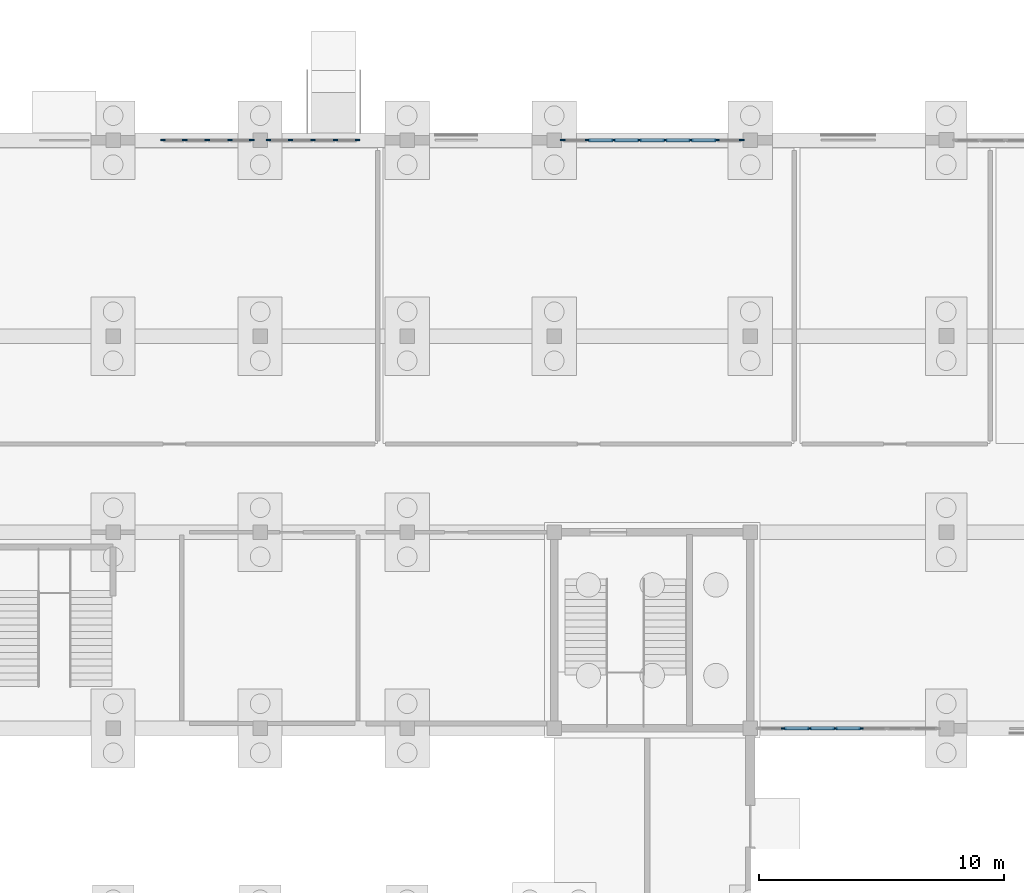
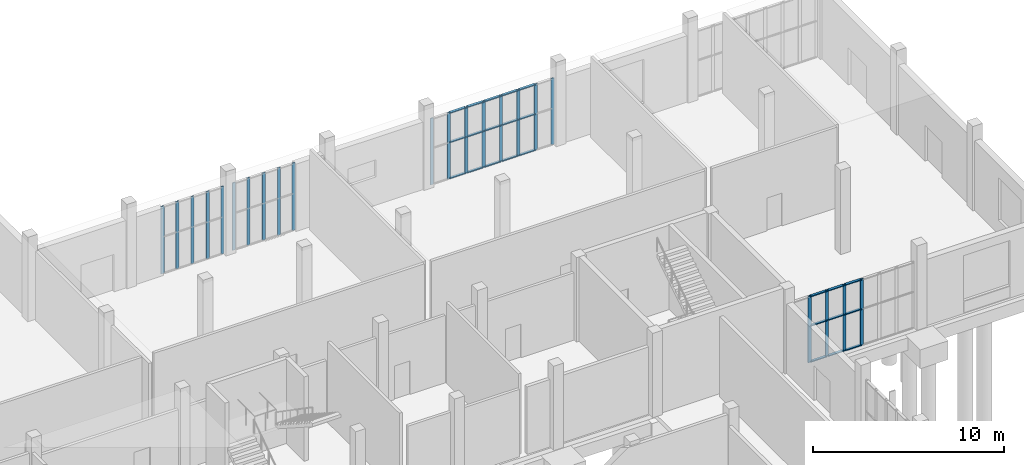
# One storey, part 17 of 69: 46 members, 4 elements without a shape of their own.
"""IFC4 building model written with IfcOpenShell, lengths in metres."""

from ifc_helpers import new_model, si_unit, direction, frame, origin, origin_2d, place, context, subcontext, project, spatial, rectangle, extrude, material, layer, layer_set, material_profile, profile_set, type_object, element, aggregate, save


model = new_model("IFC4")

# Units and contexts
model_context = context("Model", 3, precision=1e-05, world=origin(), true_north=direction((0.0, 1.0)))
body_context = subcontext(model_context, "Body", "Model", "MODEL_VIEW")
ifc_project = project(units=[si_unit("LENGTHUNIT", "METRE"), si_unit("AREAUNIT", "SQUARE_METRE"), si_unit("VOLUMEUNIT", "CUBIC_METRE"), si_unit("PLANEANGLEUNIT", "RADIAN"), si_unit("MASSUNIT", "GRAM", prefix="KILO")], contexts=[model_context])

# Site, building, storey
site_placement = place(None, origin())
site = spatial("IfcSite", under=ifc_project, at=site_placement, CompositionType="ELEMENT")
building_placement = place(site_placement, origin())
building = spatial("IfcBuilding", under=site, at=building_placement, Name="Solvane Community Centre", CompositionType="ELEMENT")
storey_placement = place(building_placement, origin())
storey = spatial("IfcBuildingStorey", under=building, at=storey_placement, Name="L00", CompositionType="ELEMENT", Elevation=0.0)

# Curtain wall, members
ifc_material = material(Name="Anodised bronze aluminium AW-6063 T6", Category="aluminium")
ifc_layer_1 = layer(ifc_material, 0.18994140625)
ifc_layer_set_1 = layer_set([ifc_layer_1], Name="Anodised bronze aluminium AW-6063 T6")
curtain_wall_type_1 = type_object("IfcCurtainWallType", Name="Boulevard Bronze Vision Curtain Wall [37x43dm]", PredefinedType="NOTDEFINED", material=ifc_layer_set_1)
curtain_wall_1_placement = place(storey_placement, origin())
curtain_wall_1 = element("IfcCurtainWall", 1, at=curtain_wall_1_placement, inside=storey, type_object=curtain_wall_type_1, Name="Curtain Wall CW-L00-440_1100-010", PredefinedType="NOTDEFINED")
ifc_material_profile_1 = material_profile(ifc_material, rectangle(XDim=0.06005859375, YDim=0.18994140625, at=origin_2d()), Name="CW-M 60x190")
ifc_profile_set_1 = profile_set([ifc_material_profile_1], Name="Anodised bronze aluminium AW-6063 T6")
member_type_1 = type_object("IfcMemberType", Name="Boulevard Mullion 60x190", PredefinedType="MULLION", material=ifc_profile_set_1)
member_1_placement = place(storey_placement, frame((44.030029296875, 110.0, 0.0), z_axis=(0.0, 0.0, 1.0), x_axis=(0.0, 1.0, 0.0)))
member_1 = element("IfcMember", 2, at=member_1_placement, type_object=member_type_1, Name="CW02-37x43 mullion 1", PredefinedType="MULLION", context=body_context, shape_type="SweptSolid", body=[
    extrude(rectangle(XDim=0.06005859375, YDim=0.18994140625, at=origin_2d()), origin(), (0.0, 0.0, 1.0), 4.31494140625),
])
member_2_placement = place(storey_placement, frame((44.921142578125, 110.0, 0.0), z_axis=(0.0, 0.0, 1.0), x_axis=(0.0, 1.0, 0.0)))
member_2 = element("IfcMember", 3, at=member_2_placement, type_object=member_type_1, Name="CW02-37x43 mullion 2", PredefinedType="MULLION", context=body_context, shape_type="SweptSolid", body=[
    extrude(rectangle(XDim=0.06005859375, YDim=0.18994140625, at=origin_2d()), origin(), (0.0, 0.0, 1.0), 4.31494140625),
])
member_3_placement = place(storey_placement, frame((45.842529296875, 110.0, 0.0), z_axis=(0.0, 0.0, 1.0), x_axis=(0.0, 1.0, 0.0)))
member_3 = element("IfcMember", 4, at=member_3_placement, type_object=member_type_1, Name="CW02-37x43 mullion 3", PredefinedType="MULLION", context=body_context, shape_type="SweptSolid", body=[
    extrude(rectangle(XDim=0.06005859375, YDim=0.18994140625, at=origin_2d()), origin(), (0.0, 0.0, 1.0), 4.31494140625),
])
member_4_placement = place(storey_placement, frame((46.763671875, 110.0, 0.0), z_axis=(0.0, 0.0, 1.0), x_axis=(0.0, 1.0, 0.0)))
member_4 = element("IfcMember", 5, at=member_4_placement, type_object=member_type_1, Name="CW02-37x43 mullion 4", PredefinedType="MULLION", context=body_context, shape_type="SweptSolid", body=[
    extrude(rectangle(XDim=0.06005859375, YDim=0.18994140625, at=origin_2d()), origin(), (0.0, 0.0, 1.0), 4.31494140625),
])
member_5_placement = place(storey_placement, frame((47.655029296875, 110.0, 0.0), z_axis=(0.0, 0.0, 1.0), x_axis=(0.0, 1.0, 0.0)))
member_5 = element("IfcMember", 6, at=member_5_placement, type_object=member_type_1, Name="CW02-37x43 mullion 5", PredefinedType="MULLION", context=body_context, shape_type="SweptSolid", body=[
    extrude(rectangle(XDim=0.06005859375, YDim=0.18994140625, at=origin_2d()), origin(), (0.0, 0.0, 1.0), 4.31494140625),
])
aggregate(curtain_wall_1, [member_1, member_2, member_3, member_4, member_5])

curtain_wall_2_placement = place(storey_placement, origin())
curtain_wall_2 = element("IfcCurtainWall", 7, at=curtain_wall_2_placement, inside=storey, type_object=curtain_wall_type_1, Name="Curtain Wall CW-L00-483_1100-011", PredefinedType="NOTDEFINED")
member_6_placement = place(storey_placement, frame((48.344970703125, 110.0, 0.0), z_axis=(0.0, 0.0, 1.0), x_axis=(0.0, 1.0, 0.0)))
member_6 = element("IfcMember", 8, at=member_6_placement, type_object=member_type_1, Name="CW02-37x43 mullion 1", PredefinedType="MULLION", context=body_context, shape_type="SweptSolid", body=[
    extrude(rectangle(XDim=0.06005859375, YDim=0.18994140625, at=origin_2d()), origin(), (0.0, 0.0, 1.0), 4.31494140625),
])
member_7_placement = place(storey_placement, frame((49.236328125, 110.0, 0.0), z_axis=(0.0, 0.0, 1.0), x_axis=(0.0, 1.0, 0.0)))
member_7 = element("IfcMember", 9, at=member_7_placement, type_object=member_type_1, Name="CW02-37x43 mullion 2", PredefinedType="MULLION", context=body_context, shape_type="SweptSolid", body=[
    extrude(rectangle(XDim=0.06005859375, YDim=0.18994140625, at=origin_2d()), origin(), (0.0, 0.0, 1.0), 4.31494140625),
])
member_8_placement = place(storey_placement, frame((50.157470703125, 110.0, 0.0), z_axis=(0.0, 0.0, 1.0), x_axis=(0.0, 1.0, 0.0)))
member_8 = element("IfcMember", 10, at=member_8_placement, type_object=member_type_1, Name="CW02-37x43 mullion 3", PredefinedType="MULLION", context=body_context, shape_type="SweptSolid", body=[
    extrude(rectangle(XDim=0.06005859375, YDim=0.18994140625, at=origin_2d()), origin(), (0.0, 0.0, 1.0), 4.31494140625),
])
member_9_placement = place(storey_placement, frame((51.078857421875, 110.0, 0.0), z_axis=(0.0, 0.0, 1.0), x_axis=(0.0, 1.0, 0.0)))
member_9 = element("IfcMember", 11, at=member_9_placement, type_object=member_type_1, Name="CW02-37x43 mullion 4", PredefinedType="MULLION", context=body_context, shape_type="SweptSolid", body=[
    extrude(rectangle(XDim=0.06005859375, YDim=0.18994140625, at=origin_2d()), origin(), (0.0, 0.0, 1.0), 4.31494140625),
])
member_10_placement = place(storey_placement, frame((51.969970703125, 110.0, 0.0), z_axis=(0.0, 0.0, 1.0), x_axis=(0.0, 1.0, 0.0)))
member_10 = element("IfcMember", 12, at=member_10_placement, type_object=member_type_1, Name="CW02-37x43 mullion 5", PredefinedType="MULLION", context=body_context, shape_type="SweptSolid", body=[
    extrude(rectangle(XDim=0.06005859375, YDim=0.18994140625, at=origin_2d()), origin(), (0.0, 0.0, 1.0), 4.31494140625),
])
aggregate(curtain_wall_2, [member_6, member_7, member_8, member_9, member_10])

ifc_layer_2 = layer(ifc_material, 0.18994140625)
ifc_layer_set_2 = layer_set([ifc_layer_2], Name="Anodised bronze aluminium AW-6063 T6")
curtain_wall_type_2 = type_object("IfcCurtainWallType", Name="Boulevard Bronze Vision Curtain Wall [74x42dm]", PredefinedType="NOTDEFINED", material=ifc_layer_set_2)
curtain_wall_3_placement = place(storey_placement, origin())
curtain_wall_3 = element("IfcCurtainWall", 13, at=curtain_wall_3_placement, inside=storey, type_object=curtain_wall_type_2, Name="Curtain Wall CW-L00-603_1100-012", PredefinedType="NOTDEFINED")
member_11_placement = place(storey_placement, frame((60.344970703125, 110.0, 0.0), z_axis=(0.0, 0.0, 1.0), x_axis=(0.0, 1.0, 0.0)))
member_11 = element("IfcMember", 14, at=member_11_placement, type_object=member_type_1, Name="CW02-74x42 mullion 1", PredefinedType="MULLION", context=body_context, shape_type="SweptSolid", body=[
    extrude(rectangle(XDim=0.06005859375, YDim=0.18994140625, at=origin_2d()), origin(), (0.0, 0.0, 1.0), 4.2451171875),
])
member_12_placement = place(storey_placement, frame((61.367919921875, 110.0, 0.0), z_axis=(0.0, 0.0, 1.0), x_axis=(0.0, 1.0, 0.0)))
member_12 = element("IfcMember", 15, at=member_12_placement, type_object=member_type_1, Name="CW02-74x42 mullion 2", PredefinedType="MULLION", context=body_context, shape_type="SweptSolid", body=[
    extrude(rectangle(XDim=0.06005859375, YDim=0.18994140625, at=origin_2d()), origin(), (0.0, 0.0, 1.0), 4.2451171875),
])
member_13_placement = place(storey_placement, frame((62.420654296875, 110.0, 0.0), z_axis=(0.0, 0.0, 1.0), x_axis=(0.0, 1.0, 0.0)))
member_13 = element("IfcMember", 16, at=member_13_placement, type_object=member_type_1, Name="CW02-74x42 mullion 3", PredefinedType="MULLION", context=body_context, shape_type="SweptSolid", body=[
    extrude(rectangle(XDim=0.06005859375, YDim=0.18994140625, at=origin_2d()), origin(), (0.0, 0.0, 1.0), 4.2451171875),
])
member_14_placement = place(storey_placement, frame((63.4736328125, 110.0, 0.0), z_axis=(0.0, 0.0, 1.0), x_axis=(0.0, 1.0, 0.0)))
member_14 = element("IfcMember", 17, at=member_14_placement, type_object=member_type_1, Name="CW02-74x42 mullion 4", PredefinedType="MULLION", context=body_context, shape_type="SweptSolid", body=[
    extrude(rectangle(XDim=0.06005859375, YDim=0.18994140625, at=origin_2d()), origin(), (0.0, 0.0, 1.0), 4.2451171875),
])
member_15_placement = place(storey_placement, frame((64.5263671875, 110.0, 0.0), z_axis=(0.0, 0.0, 1.0), x_axis=(0.0, 1.0, 0.0)))
member_15 = element("IfcMember", 18, at=member_15_placement, type_object=member_type_1, Name="CW02-74x42 mullion 5", PredefinedType="MULLION", context=body_context, shape_type="SweptSolid", body=[
    extrude(rectangle(XDim=0.06005859375, YDim=0.18994140625, at=origin_2d()), origin(), (0.0, 0.0, 1.0), 4.2451171875),
])
member_16_placement = place(storey_placement, frame((65.579345703125, 110.0, 0.0), z_axis=(0.0, 0.0, 1.0), x_axis=(0.0, 1.0, 0.0)))
member_16 = element("IfcMember", 19, at=member_16_placement, type_object=member_type_1, Name="CW02-74x42 mullion 6", PredefinedType="MULLION", context=body_context, shape_type="SweptSolid", body=[
    extrude(rectangle(XDim=0.06005859375, YDim=0.18994140625, at=origin_2d()), origin(), (0.0, 0.0, 1.0), 4.2451171875),
])
member_17_placement = place(storey_placement, frame((66.632080078125, 110.0, 0.0), z_axis=(0.0, 0.0, 1.0), x_axis=(0.0, 1.0, 0.0)))
member_17 = element("IfcMember", 20, at=member_17_placement, type_object=member_type_1, Name="CW02-74x42 mullion 7", PredefinedType="MULLION", context=body_context, shape_type="SweptSolid", body=[
    extrude(rectangle(XDim=0.06005859375, YDim=0.18994140625, at=origin_2d()), origin(), (0.0, 0.0, 1.0), 4.2451171875),
])
member_18_placement = place(storey_placement, frame((67.655029296875, 110.0, 0.0), z_axis=(0.0, 0.0, 1.0), x_axis=(0.0, 1.0, 0.0)))
member_18 = element("IfcMember", 21, at=member_18_placement, type_object=member_type_1, Name="CW02-74x42 mullion 8", PredefinedType="MULLION", context=body_context, shape_type="SweptSolid", body=[
    extrude(rectangle(XDim=0.06005859375, YDim=0.18994140625, at=origin_2d()), origin(), (0.0, 0.0, 1.0), 4.2451171875),
])

curtain_wall_4_placement = place(storey_placement, origin())
curtain_wall_4 = element("IfcCurtainWall", 22, at=curtain_wall_4_placement, inside=storey, type_object=curtain_wall_type_2, Name="Curtain Wall CW-L00-757_860-014", PredefinedType="NOTDEFINED")
member_19_placement = place(storey_placement, frame((72.523681640625, 86.0, 0.0), z_axis=(0.0, 0.0, 1.0), x_axis=(0.0, -1.0, 0.0)))
member_19 = element("IfcMember", 23, at=member_19_placement, type_object=member_type_1, Name="CW02-74x42 mullion 4", PredefinedType="MULLION", context=body_context, shape_type="SweptSolid", body=[
    extrude(rectangle(XDim=0.06005859375, YDim=0.18994140625, at=origin_2d()), origin(), (0.0, 0.0, 1.0), 4.2451171875),
])
member_20_placement = place(storey_placement, frame((71.471435546875, 86.0, 0.0), z_axis=(0.0, 0.0, 1.0), x_axis=(0.0, -1.0, 0.0)))
member_20 = element("IfcMember", 24, at=member_20_placement, type_object=member_type_1, Name="CW02-74x42 mullion 5", PredefinedType="MULLION", context=body_context, shape_type="SweptSolid", body=[
    extrude(rectangle(XDim=0.06005859375, YDim=0.18994140625, at=origin_2d()), origin(), (0.0, 0.0, 1.0), 4.2451171875),
])
member_21_placement = place(storey_placement, frame((70.419189453125, 86.0, 0.0), z_axis=(0.0, 0.0, 1.0), x_axis=(0.0, -1.0, 0.0)))
member_21 = element("IfcMember", 25, at=member_21_placement, type_object=member_type_1, Name="CW02-74x42 mullion 6", PredefinedType="MULLION", context=body_context, shape_type="SweptSolid", body=[
    extrude(rectangle(XDim=0.06005859375, YDim=0.18994140625, at=origin_2d()), origin(), (0.0, 0.0, 1.0), 4.2451171875),
])
member_22_placement = place(storey_placement, frame((69.3671875, 86.0, 0.0), z_axis=(0.0, 0.0, 1.0), x_axis=(0.0, -1.0, 0.0)))
member_22 = element("IfcMember", 26, at=member_22_placement, type_object=member_type_1, Name="CW02-74x42 mullion 7", PredefinedType="MULLION", context=body_context, shape_type="SweptSolid", body=[
    extrude(rectangle(XDim=0.06005859375, YDim=0.18994140625, at=origin_2d()), origin(), (0.0, 0.0, 1.0), 4.2451171875),
])

# Member
ifc_material_profile_2 = material_profile(ifc_material, rectangle(XDim=0.14990234375, YDim=0.06005859375, at=origin_2d()), Name="CW-T 60x150")
ifc_profile_set_2 = profile_set([ifc_material_profile_2], Name="Anodised bronze aluminium AW-6063 T6")
member_type_2 = type_object("IfcMemberType", Name="Boulevard Transom 60x150", PredefinedType="USERDEFINED", material=ifc_profile_set_2)
member_23_placement = place(storey_placement, frame((61.39794921875, 110.0, 0.030029296875), z_axis=(1.0, 0.0, 0.0), x_axis=(0.0, 1.0, 0.0)))
member_23 = element("IfcMember", 27, at=member_23_placement, type_object=member_type_2, Name="CW02-74x42 transom 2.1", ObjectType="TRANSOM", PredefinedType="USERDEFINED", context=body_context, shape_type="SweptSolid", body=[
    extrude(rectangle(XDim=0.14990234375, YDim=0.06005859375, at=origin_2d()), origin(), (0.0, 0.0, 1.0), 0.99267578125),
])

member_24_placement = place(storey_placement, frame((61.39794921875, 110.0, 2.3349609375), z_axis=(1.0, 0.0, 0.0), x_axis=(0.0, 1.0, 0.0)))
member_24 = element("IfcMember", 28, at=member_24_placement, type_object=member_type_2, Name="CW02-74x42 transom 2.2", ObjectType="TRANSOM", PredefinedType="USERDEFINED", context=body_context, shape_type="SweptSolid", body=[
    extrude(rectangle(XDim=0.14990234375, YDim=0.06005859375, at=origin_2d()), origin(), (0.0, 0.0, 1.0), 0.99267578125),
])

member_25_placement = place(storey_placement, frame((61.39794921875, 110.0, 4.215087890625), z_axis=(1.0, 0.0, 0.0), x_axis=(0.0, 1.0, 0.0)))
member_25 = element("IfcMember", 29, at=member_25_placement, type_object=member_type_2, Name="CW02-74x42 transom 2.3", ObjectType="TRANSOM", PredefinedType="USERDEFINED", context=body_context, shape_type="SweptSolid", body=[
    extrude(rectangle(XDim=0.14990234375, YDim=0.06005859375, at=origin_2d()), origin(), (0.0, 0.0, 1.0), 0.99267578125),
])

member_26_placement = place(storey_placement, frame((62.45068359375, 110.0, 0.030029296875), z_axis=(1.0, 0.0, 0.0), x_axis=(0.0, 1.0, 0.0)))
member_26 = element("IfcMember", 30, at=member_26_placement, type_object=member_type_2, Name="CW02-74x42 transom 3.1", ObjectType="TRANSOM", PredefinedType="USERDEFINED", context=body_context, shape_type="SweptSolid", body=[
    extrude(rectangle(XDim=0.14990234375, YDim=0.06005859375, at=origin_2d()), origin(), (0.0, 0.0, 1.0), 0.992919921875),
])

member_27_placement = place(storey_placement, frame((62.45068359375, 110.0, 2.3349609375), z_axis=(1.0, 0.0, 0.0), x_axis=(0.0, 1.0, 0.0)))
member_27 = element("IfcMember", 31, at=member_27_placement, type_object=member_type_2, Name="CW02-74x42 transom 3.2", ObjectType="TRANSOM", PredefinedType="USERDEFINED", context=body_context, shape_type="SweptSolid", body=[
    extrude(rectangle(XDim=0.14990234375, YDim=0.06005859375, at=origin_2d()), origin(), (0.0, 0.0, 1.0), 0.992919921875),
])

member_28_placement = place(storey_placement, frame((62.45068359375, 110.0, 4.215087890625), z_axis=(1.0, 0.0, 0.0), x_axis=(0.0, 1.0, 0.0)))
member_28 = element("IfcMember", 32, at=member_28_placement, type_object=member_type_2, Name="CW02-74x42 transom 3.3", ObjectType="TRANSOM", PredefinedType="USERDEFINED", context=body_context, shape_type="SweptSolid", body=[
    extrude(rectangle(XDim=0.14990234375, YDim=0.06005859375, at=origin_2d()), origin(), (0.0, 0.0, 1.0), 0.992919921875),
])

member_29_placement = place(storey_placement, frame((63.503662109375, 110.0, 0.030029296875), z_axis=(1.0, 0.0, 0.0), x_axis=(0.0, 1.0, 0.0)))
member_29 = element("IfcMember", 33, at=member_29_placement, type_object=member_type_2, Name="CW02-74x42 transom 4.1", ObjectType="TRANSOM", PredefinedType="USERDEFINED", context=body_context, shape_type="SweptSolid", body=[
    extrude(rectangle(XDim=0.14990234375, YDim=0.06005859375, at=origin_2d()), origin(), (0.0, 0.0, 1.0), 0.99267578125),
])

member_30_placement = place(storey_placement, frame((63.503662109375, 110.0, 2.3349609375), z_axis=(1.0, 0.0, 0.0), x_axis=(0.0, 1.0, 0.0)))
member_30 = element("IfcMember", 34, at=member_30_placement, type_object=member_type_2, Name="CW02-74x42 transom 4.2", ObjectType="TRANSOM", PredefinedType="USERDEFINED", context=body_context, shape_type="SweptSolid", body=[
    extrude(rectangle(XDim=0.14990234375, YDim=0.06005859375, at=origin_2d()), origin(), (0.0, 0.0, 1.0), 0.99267578125),
])

member_31_placement = place(storey_placement, frame((63.503662109375, 110.0, 4.215087890625), z_axis=(1.0, 0.0, 0.0), x_axis=(0.0, 1.0, 0.0)))
member_31 = element("IfcMember", 35, at=member_31_placement, type_object=member_type_2, Name="CW02-74x42 transom 4.3", ObjectType="TRANSOM", PredefinedType="USERDEFINED", context=body_context, shape_type="SweptSolid", body=[
    extrude(rectangle(XDim=0.14990234375, YDim=0.06005859375, at=origin_2d()), origin(), (0.0, 0.0, 1.0), 0.99267578125),
])

member_32_placement = place(storey_placement, frame((64.556396484375, 110.0, 0.030029296875), z_axis=(1.0, 0.0, 0.0), x_axis=(0.0, 1.0, 0.0)))
member_32 = element("IfcMember", 36, at=member_32_placement, type_object=member_type_2, Name="CW02-74x42 transom 5.1", ObjectType="TRANSOM", PredefinedType="USERDEFINED", context=body_context, shape_type="SweptSolid", body=[
    extrude(rectangle(XDim=0.14990234375, YDim=0.06005859375, at=origin_2d()), origin(), (0.0, 0.0, 1.0), 0.992919921875),
])

member_33_placement = place(storey_placement, frame((64.556396484375, 110.0, 2.3349609375), z_axis=(1.0, 0.0, 0.0), x_axis=(0.0, 1.0, 0.0)))
member_33 = element("IfcMember", 37, at=member_33_placement, type_object=member_type_2, Name="CW02-74x42 transom 5.2", ObjectType="TRANSOM", PredefinedType="USERDEFINED", context=body_context, shape_type="SweptSolid", body=[
    extrude(rectangle(XDim=0.14990234375, YDim=0.06005859375, at=origin_2d()), origin(), (0.0, 0.0, 1.0), 0.992919921875),
])

member_34_placement = place(storey_placement, frame((64.556396484375, 110.0, 4.215087890625), z_axis=(1.0, 0.0, 0.0), x_axis=(0.0, 1.0, 0.0)))
member_34 = element("IfcMember", 38, at=member_34_placement, type_object=member_type_2, Name="CW02-74x42 transom 5.3", ObjectType="TRANSOM", PredefinedType="USERDEFINED", context=body_context, shape_type="SweptSolid", body=[
    extrude(rectangle(XDim=0.14990234375, YDim=0.06005859375, at=origin_2d()), origin(), (0.0, 0.0, 1.0), 0.992919921875),
])

member_35_placement = place(storey_placement, frame((65.609375, 110.0, 0.030029296875), z_axis=(1.0, 0.0, 0.0), x_axis=(0.0, 1.0, 0.0)))
member_35 = element("IfcMember", 39, at=member_35_placement, type_object=member_type_2, Name="CW02-74x42 transom 6.1", ObjectType="TRANSOM", PredefinedType="USERDEFINED", context=body_context, shape_type="SweptSolid", body=[
    extrude(rectangle(XDim=0.14990234375, YDim=0.06005859375, at=origin_2d()), origin(), (0.0, 0.0, 1.0), 0.99267578125),
])

member_36_placement = place(storey_placement, frame((65.609375, 110.0, 2.3349609375), z_axis=(1.0, 0.0, 0.0), x_axis=(0.0, 1.0, 0.0)))
member_36 = element("IfcMember", 40, at=member_36_placement, type_object=member_type_2, Name="CW02-74x42 transom 6.2", ObjectType="TRANSOM", PredefinedType="USERDEFINED", context=body_context, shape_type="SweptSolid", body=[
    extrude(rectangle(XDim=0.14990234375, YDim=0.06005859375, at=origin_2d()), origin(), (0.0, 0.0, 1.0), 0.99267578125),
])

member_37_placement = place(storey_placement, frame((65.609375, 110.0, 4.215087890625), z_axis=(1.0, 0.0, 0.0), x_axis=(0.0, 1.0, 0.0)))
member_37 = element("IfcMember", 41, at=member_37_placement, type_object=member_type_2, Name="CW02-74x42 transom 6.3", ObjectType="TRANSOM", PredefinedType="USERDEFINED", context=body_context, shape_type="SweptSolid", body=[
    extrude(rectangle(XDim=0.14990234375, YDim=0.06005859375, at=origin_2d()), origin(), (0.0, 0.0, 1.0), 0.99267578125),
])

aggregate(curtain_wall_3, [member_11, member_12, member_13, member_14, member_15, member_16, member_17, member_18, member_23, member_24, member_25, member_26, member_27, member_28, member_29, member_30, member_31, member_32, member_33, member_34, member_35, member_36, member_37])

member_38_placement = place(storey_placement, frame((72.49365234375, 86.0, 0.030029296875), z_axis=(-1.0, 0.0, 0.0), x_axis=(0.0, -1.0, 0.0)))
member_38 = element("IfcMember", 42, at=member_38_placement, type_object=member_type_2, Name="CW02-74x42 transom 4.1", ObjectType="TRANSOM", PredefinedType="USERDEFINED", context=body_context, shape_type="SweptSolid", body=[
    extrude(rectangle(XDim=0.14990234375, YDim=0.06005859375, at=origin_2d()), origin(), (0.0, 0.0, 1.0), 0.9921875),
])

member_39_placement = place(storey_placement, frame((72.49365234375, 86.0, 2.3349609375), z_axis=(-1.0, 0.0, 0.0), x_axis=(0.0, -1.0, 0.0)))
member_39 = element("IfcMember", 43, at=member_39_placement, type_object=member_type_2, Name="CW02-74x42 transom 4.2", ObjectType="TRANSOM", PredefinedType="USERDEFINED", context=body_context, shape_type="SweptSolid", body=[
    extrude(rectangle(XDim=0.14990234375, YDim=0.06005859375, at=origin_2d()), origin(), (0.0, 0.0, 1.0), 0.9921875),
])

member_40_placement = place(storey_placement, frame((72.49365234375, 86.0, 4.215087890625), z_axis=(-1.0, 0.0, 0.0), x_axis=(0.0, -1.0, 0.0)))
member_40 = element("IfcMember", 44, at=member_40_placement, type_object=member_type_2, Name="CW02-74x42 transom 4.3", ObjectType="TRANSOM", PredefinedType="USERDEFINED", context=body_context, shape_type="SweptSolid", body=[
    extrude(rectangle(XDim=0.14990234375, YDim=0.06005859375, at=origin_2d()), origin(), (0.0, 0.0, 1.0), 0.9921875),
])

member_41_placement = place(storey_placement, frame((71.44140625, 86.0, 0.030029296875), z_axis=(-1.0, 0.0, 0.0), x_axis=(0.0, -1.0, 0.0)))
member_41 = element("IfcMember", 45, at=member_41_placement, type_object=member_type_2, Name="CW02-74x42 transom 5.1", ObjectType="TRANSOM", PredefinedType="USERDEFINED", context=body_context, shape_type="SweptSolid", body=[
    extrude(rectangle(XDim=0.14990234375, YDim=0.06005859375, at=origin_2d()), origin(), (0.0, 0.0, 1.0), 0.9921875),
])

member_42_placement = place(storey_placement, frame((71.44140625, 86.0, 2.3349609375), z_axis=(-1.0, 0.0, 0.0), x_axis=(0.0, -1.0, 0.0)))
member_42 = element("IfcMember", 46, at=member_42_placement, type_object=member_type_2, Name="CW02-74x42 transom 5.2", ObjectType="TRANSOM", PredefinedType="USERDEFINED", context=body_context, shape_type="SweptSolid", body=[
    extrude(rectangle(XDim=0.14990234375, YDim=0.06005859375, at=origin_2d()), origin(), (0.0, 0.0, 1.0), 0.9921875),
])

member_43_placement = place(storey_placement, frame((71.44140625, 86.0, 4.215087890625), z_axis=(-1.0, 0.0, 0.0), x_axis=(0.0, -1.0, 0.0)))
member_43 = element("IfcMember", 47, at=member_43_placement, type_object=member_type_2, Name="CW02-74x42 transom 5.3", ObjectType="TRANSOM", PredefinedType="USERDEFINED", context=body_context, shape_type="SweptSolid", body=[
    extrude(rectangle(XDim=0.14990234375, YDim=0.06005859375, at=origin_2d()), origin(), (0.0, 0.0, 1.0), 0.9921875),
])

member_44_placement = place(storey_placement, frame((70.389404296875, 86.0, 0.030029296875), z_axis=(-1.0, 0.0, 0.0), x_axis=(0.0, -1.0, 0.0)))
member_44 = element("IfcMember", 48, at=member_44_placement, type_object=member_type_2, Name="CW02-74x42 transom 6.1", ObjectType="TRANSOM", PredefinedType="USERDEFINED", context=body_context, shape_type="SweptSolid", body=[
    extrude(rectangle(XDim=0.14990234375, YDim=0.06005859375, at=origin_2d()), origin(), (0.0, 0.0, 1.0), 0.9921875),
])

member_45_placement = place(storey_placement, frame((70.389404296875, 86.0, 2.3349609375), z_axis=(-1.0, 0.0, 0.0), x_axis=(0.0, -1.0, 0.0)))
member_45 = element("IfcMember", 49, at=member_45_placement, type_object=member_type_2, Name="CW02-74x42 transom 6.2", ObjectType="TRANSOM", PredefinedType="USERDEFINED", context=body_context, shape_type="SweptSolid", body=[
    extrude(rectangle(XDim=0.14990234375, YDim=0.06005859375, at=origin_2d()), origin(), (0.0, 0.0, 1.0), 0.9921875),
])

member_46_placement = place(storey_placement, frame((70.389404296875, 86.0, 4.215087890625), z_axis=(-1.0, 0.0, 0.0), x_axis=(0.0, -1.0, 0.0)))
member_46 = element("IfcMember", 50, at=member_46_placement, type_object=member_type_2, Name="CW02-74x42 transom 6.3", ObjectType="TRANSOM", PredefinedType="USERDEFINED", context=body_context, shape_type="SweptSolid", body=[
    extrude(rectangle(XDim=0.14990234375, YDim=0.06005859375, at=origin_2d()), origin(), (0.0, 0.0, 1.0), 0.9921875),
])

aggregate(curtain_wall_4, [member_19, member_20, member_21, member_22, member_38, member_39, member_40, member_41, member_42, member_43, member_44, member_45, member_46])

save(model, "model.ifc")
